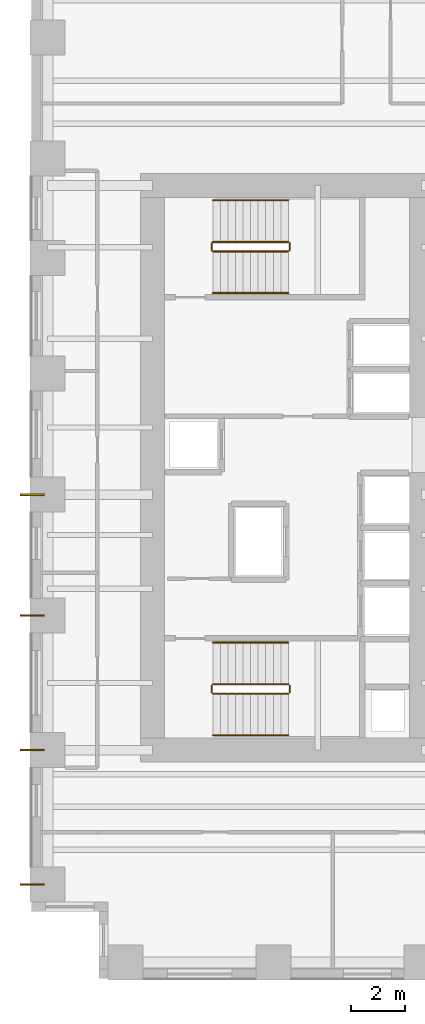
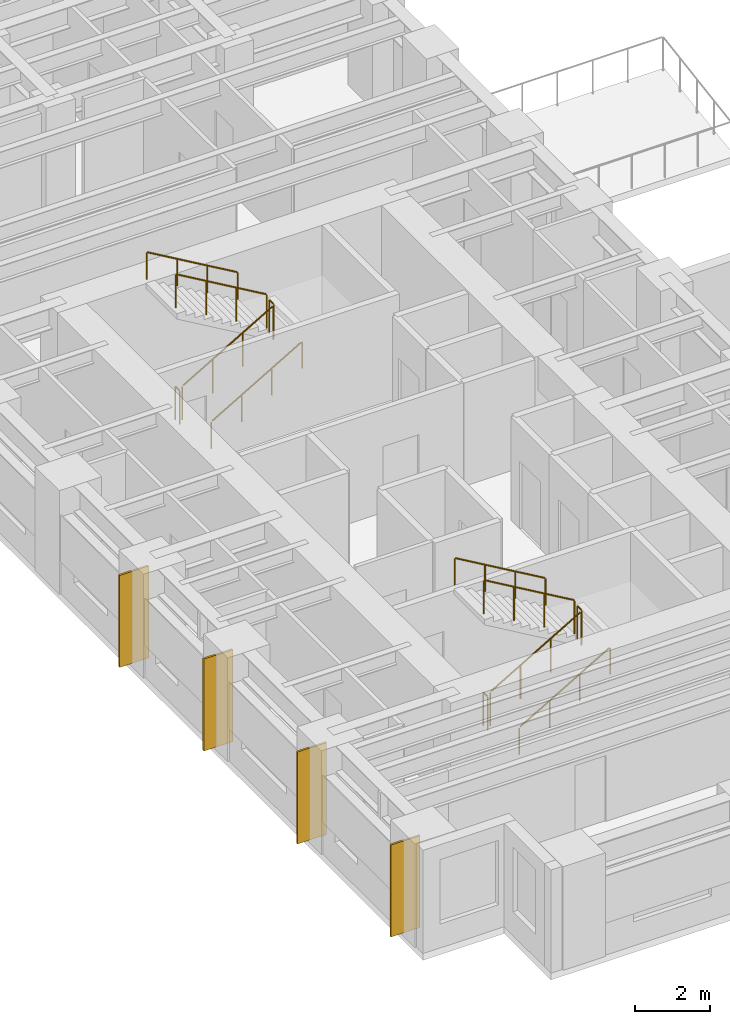
# One storey, part 11 of 12: 12 railings, 4 coverings.
"""IFC4 building model written with IfcOpenShell, lengths in metres."""

from ifc_helpers import new_model, si_unit, direction, frame, origin, origin_2d, place, context, subcontext, project, spatial, rectangle, circle, extrude, source, transform, mapped, material, layer, layer_set, type_object, element, save


model = new_model("IFC4")

# Units and contexts
model_context = context("Model", 3, precision=1e-05, world=origin(), true_north=direction((0.0, 1.0)))
body_context = subcontext(model_context, "Body", "Model", "MODEL_VIEW")
ifc_project = project(units=[si_unit("LENGTHUNIT", "METRE"), si_unit("AREAUNIT", "SQUARE_METRE"), si_unit("VOLUMEUNIT", "CUBIC_METRE"), si_unit("PLANEANGLEUNIT", "RADIAN"), si_unit("MASSUNIT", "GRAM", prefix="KILO")], contexts=[model_context])

# Site, building, storey
site_placement = place(None, origin())
site = spatial("IfcSite", under=ifc_project, at=site_placement, CompositionType="ELEMENT")
building_placement = place(site_placement, origin())
building = spatial("IfcBuilding", under=site, at=building_placement, Name="Kharzan Plaza Tower", CompositionType="ELEMENT")
storey_placement = place(building_placement, frame((0.0, 0.0, 26.10009765625)))
storey = spatial("IfcBuildingStorey", under=building, at=storey_placement, Name="L06", CompositionType="ELEMENT", Elevation=26.10009765625)

# Railings
ifc_material_1 = material(Name="Painted Galvanized Architectural Steel", Category="steel")
ifc_layer_1 = layer(ifc_material_1, 0.074951171875)
ifc_layer_set_1 = layer_set([ifc_layer_1], Name="Painted Galvanized Architectural Steel")
railing_type_1 = type_object("IfcRailingType", Name="RL-GUARD-1120", PredefinedType="BALUSTRADE", material=ifc_layer_set_1)
shared_shape_1 = source(origin(), body_context, "Body", "SweptSolid", [
    extrude(circle(Radius=0.02392578125, at=origin_2d()), frame((0.0, 0.0263671875, 1.09619140625), z_axis=(0.0, 1.0, 0.0), x_axis=(-1.0, 0.0, 0.0)), (0.0, 0.0, 1.0), 0.197021484375),
    extrude(circle(Radius=0.02099609375, at=origin_2d()), origin(), (0.0, 0.0, 1.0), 1.072021484375),
    extrude(circle(Radius=0.02099609375, at=origin_2d()), frame((0.0, 0.25, 0.0)), (0.0, 0.0, 1.0), 1.072021484375),
])
for number, where, name in (
    (1, (9.60009765625, 10.64990234375, 1.7998046875), "L06 ST-1 stair guard 2"),
    (2, (6.699951171875, 10.64990234375, 0.0), "L06 ST-1 stair guard 4"),
    (3, (9.60009765625, 27.10009765625, 1.7998046875), "L06 ST-2 stair guard 2"),
    (4, (6.699951171875, 27.10009765625, 0.0), "L06 ST-2 stair guard 4"),
):
    element("IfcRailing", number, at=place(storey_placement, frame(where)), inside=storey, type_object=railing_type_1, Name=name, PredefinedType="BALUSTRADE", context=body_context, shape_type="MappedRepresentation", body=[
        mapped(shared_shape_1, transform((0.0, 0.0, 0.0), x_axis=(1.0, 0.0, 0.0), y_axis=(0.0, 1.0, 0.0), z_axis=(0.0, 0.0, 1.0))),
    ])

# Coverings
ifc_material_2 = material(Name="Honed Riyadh Limestone", Category="masonry")
ifc_layer_2 = layer(ifc_material_2, 0.06005859375)
ifc_layer_set_2 = layer_set([ifc_layer_2], Name="Honed Riyadh Limestone")
covering_type = type_object("IfcCoveringType", Name="COV-CLAD-STONE", PredefinedType="CLADDING", material=ifc_layer_set_2)
shared_shape_2 = source(origin(), body_context, "Body", "SweptSolid", [
    extrude(rectangle(XDim=0.06005859375, YDim=0.89990234375, at=origin_2d()), origin(), (0.0, 0.0, 1.0), 3.0),
])
for number, where, z_axis, x_axis, name in (
    (5, (0.02001953125, 13.5, 0.099853515625), (0.0, 0.0, 1.0), (0.0, 1.0, 0.0), "L06 Limestone Pier Rainscreen Cladding TCW-135"),
    (6, (0.02001953125, 18.0, 0.099853515625), (0.0, 0.0, 1.0), (0.0, 1.0, 0.0), "L06 Limestone Pier Rainscreen Cladding TCW-180"),
    (7, (0.02001953125, 3.5, 0.099853515625), (0.0, 0.0, 1.0), (0.0, 1.0, 0.0), "L06 Limestone Pier Rainscreen Cladding TCW-35"),
    (8, (0.02001953125, 8.5, 0.099853515625), (0.0, 0.0, 1.0), (0.0, 1.0, 0.0), "L06 Limestone Pier Rainscreen Cladding TCW-85"),
):
    element("IfcCovering", number, at=place(storey_placement, frame(where, z_axis=z_axis, x_axis=x_axis)), inside=storey, type_object=covering_type, Name=name, PredefinedType="CLADDING", context=body_context, shape_type="MappedRepresentation", body=[
        mapped(shared_shape_2, transform((0.0, 0.0, 0.0), x_axis=(1.0, 0.0, 0.0), y_axis=(0.0, 1.0, 0.0), z_axis=(0.0, 0.0, 1.0))),
    ])

# Railings
shared_shape_3 = source(origin(), body_context, "Body", "SweptSolid", [
    extrude(circle(Radius=0.02392578125, at=origin_2d()), frame((0.02294921875, 0.0, 1.109375), z_axis=(0.863393664356, 0.0, 0.504530851732), x_axis=(0.0, 1.0, 0.0)), (0.0, 0.0, 1.0), 3.190185546875),
    extrude(circle(Radius=0.02099609375, at=origin_2d()), origin(), (0.0, 0.0, 1.0), 1.072021484375),
    extrude(circle(Radius=0.02099609375, at=origin_2d()), frame((0.933349609375, 0.0, 0.54541015625)), (0.0, 0.0, 1.0), 1.072021484375),
    extrude(circle(Radius=0.02099609375, at=origin_2d()), frame((1.86669921875, 0.0, 1.0908203125)), (0.0, 0.0, 1.0), 1.072021484375),
    extrude(circle(Radius=0.02099609375, at=origin_2d()), frame((2.800048828125, 0.0, 1.63623046875)), (0.0, 0.0, 1.0), 1.072021484375),
])
for number, where, name in (
    (9, (6.75, 10.60009765625, 0.16357421875), "L06 ST-1 stair guard 1"),
    (10, (6.75, 27.050048828125, 0.16357421875), "L06 ST-2 stair guard 1"),
):
    element("IfcRailing", number, at=place(storey_placement, frame(where)), inside=storey, type_object=railing_type_1, Name=name, PredefinedType="BALUSTRADE", context=body_context, shape_type="MappedRepresentation", body=[
        mapped(shared_shape_3, transform((0.0, 0.0, 0.0), x_axis=(1.0, 0.0, 0.0), y_axis=(0.0, 1.0, 0.0), z_axis=(0.0, 0.0, 1.0))),
    ])
shared_shape_4 = source(origin(), body_context, "Body", "SweptSolid", [
    extrude(circle(Radius=0.02392578125, at=origin_2d()), frame((-0.02294921875, 0.0, 1.109375), z_axis=(-0.863393664356, 0.0, 0.504530851732), x_axis=(0.0, -1.0, 0.0)), (0.0, 0.0, 1.0), 3.190185546875),
    extrude(circle(Radius=0.02099609375, at=origin_2d()), origin(), (0.0, 0.0, 1.0), 1.072021484375),
    extrude(circle(Radius=0.02099609375, at=origin_2d()), frame((-0.933349609375, 0.0, 0.54541015625)), (0.0, 0.0, 1.0), 1.072021484375),
    extrude(circle(Radius=0.02099609375, at=origin_2d()), frame((-1.86669921875, 0.0, 1.0908203125)), (0.0, 0.0, 1.0), 1.072021484375),
    extrude(circle(Radius=0.02099609375, at=origin_2d()), frame((-2.800048828125, 0.0, 1.63623046875)), (0.0, 0.0, 1.0), 1.072021484375),
])
for number, where, name in (
    (11, (9.550048828125, 10.949951171875, 1.963623046875), "L06 ST-1 stair guard 3"),
    (12, (9.550048828125, 27.39990234375, 1.963623046875), "L06 ST-2 stair guard 3"),
):
    element("IfcRailing", number, at=place(storey_placement, frame(where)), inside=storey, type_object=railing_type_1, Name=name, PredefinedType="BALUSTRADE", context=body_context, shape_type="MappedRepresentation", body=[
        mapped(shared_shape_4, transform((0.0, 0.0, 0.0), x_axis=(1.0, 0.0, 0.0), y_axis=(0.0, 1.0, 0.0), z_axis=(0.0, 0.0, 1.0))),
    ])
ifc_material_3 = material(Name="Brushed Stainless Steel", Category="steel")
ifc_layer_3 = layer(ifc_material_3, 0.050048828125)
ifc_layer_set_3 = layer_set([ifc_layer_3], Name="Brushed Stainless Steel")
railing_type_2 = type_object("IfcRailingType", Name="RL-STAIR-HR920", PredefinedType="HANDRAIL", material=ifc_layer_set_3)
shared_shape_5 = source(origin(), body_context, "Body", "SweptSolid", [
    extrude(circle(Radius=0.02392578125, at=origin_2d()), frame((0.02294921875, 0.0, 0.88916015625), z_axis=(0.863393664356, 0.0, 0.504530851732), x_axis=(0.0, 1.0, 0.0)), (0.0, 0.0, 1.0), 3.190185546875),
    extrude(circle(Radius=0.02099609375, at=origin_2d()), origin(), (0.0, 0.0, 1.0), 0.851806640625),
    extrude(circle(Radius=0.02099609375, at=origin_2d()), frame((0.933349609375, 0.0, 0.54541015625)), (0.0, 0.0, 1.0), 0.851806640625),
    extrude(circle(Radius=0.02099609375, at=origin_2d()), frame((1.86669921875, 0.0, 1.0908203125)), (0.0, 0.0, 1.0), 0.851806640625),
    extrude(circle(Radius=0.02099609375, at=origin_2d()), frame((2.800048828125, 0.0, 1.63623046875)), (0.0, 0.0, 1.0), 0.851806640625),
])
for number, where, name in (
    (13, (6.75, 9.050048828125, 0.16357421875), "L06 ST-1 stair handrail 1"),
    (14, (6.75, 25.5, 0.16357421875), "L06 ST-2 stair handrail 1"),
):
    element("IfcRailing", number, at=place(storey_placement, frame(where)), inside=storey, type_object=railing_type_2, Name=name, PredefinedType="HANDRAIL", context=body_context, shape_type="MappedRepresentation", body=[
        mapped(shared_shape_5, transform((0.0, 0.0, 0.0), x_axis=(1.0, 0.0, 0.0), y_axis=(0.0, 1.0, 0.0), z_axis=(0.0, 0.0, 1.0))),
    ])
shared_shape_6 = source(origin(), body_context, "Body", "SweptSolid", [
    extrude(circle(Radius=0.02392578125, at=origin_2d()), frame((-0.02294921875, 0.0, 0.88916015625), z_axis=(-0.863393664356, 0.0, 0.504530851732), x_axis=(0.0, -1.0, 0.0)), (0.0, 0.0, 1.0), 3.190185546875),
    extrude(circle(Radius=0.02099609375, at=origin_2d()), origin(), (0.0, 0.0, 1.0), 0.851806640625),
    extrude(circle(Radius=0.02099609375, at=origin_2d()), frame((-0.933349609375, 0.0, 0.54541015625)), (0.0, 0.0, 1.0), 0.851806640625),
    extrude(circle(Radius=0.02099609375, at=origin_2d()), frame((-1.86669921875, 0.0, 1.0908203125)), (0.0, 0.0, 1.0), 0.851806640625),
    extrude(circle(Radius=0.02099609375, at=origin_2d()), frame((-2.800048828125, 0.0, 1.63623046875)), (0.0, 0.0, 1.0), 0.851806640625),
])
for number, where, name in (
    (15, (9.550048828125, 12.5, 1.963623046875), "L06 ST-1 stair handrail 2"),
    (16, (9.550048828125, 28.949951171875, 1.963623046875), "L06 ST-2 stair handrail 2"),
):
    element("IfcRailing", number, at=place(storey_placement, frame(where)), inside=storey, type_object=railing_type_2, Name=name, PredefinedType="HANDRAIL", context=body_context, shape_type="MappedRepresentation", body=[
        mapped(shared_shape_6, transform((0.0, 0.0, 0.0), x_axis=(1.0, 0.0, 0.0), y_axis=(0.0, 1.0, 0.0), z_axis=(0.0, 0.0, 1.0))),
    ])

save(model, "model.ifc")
